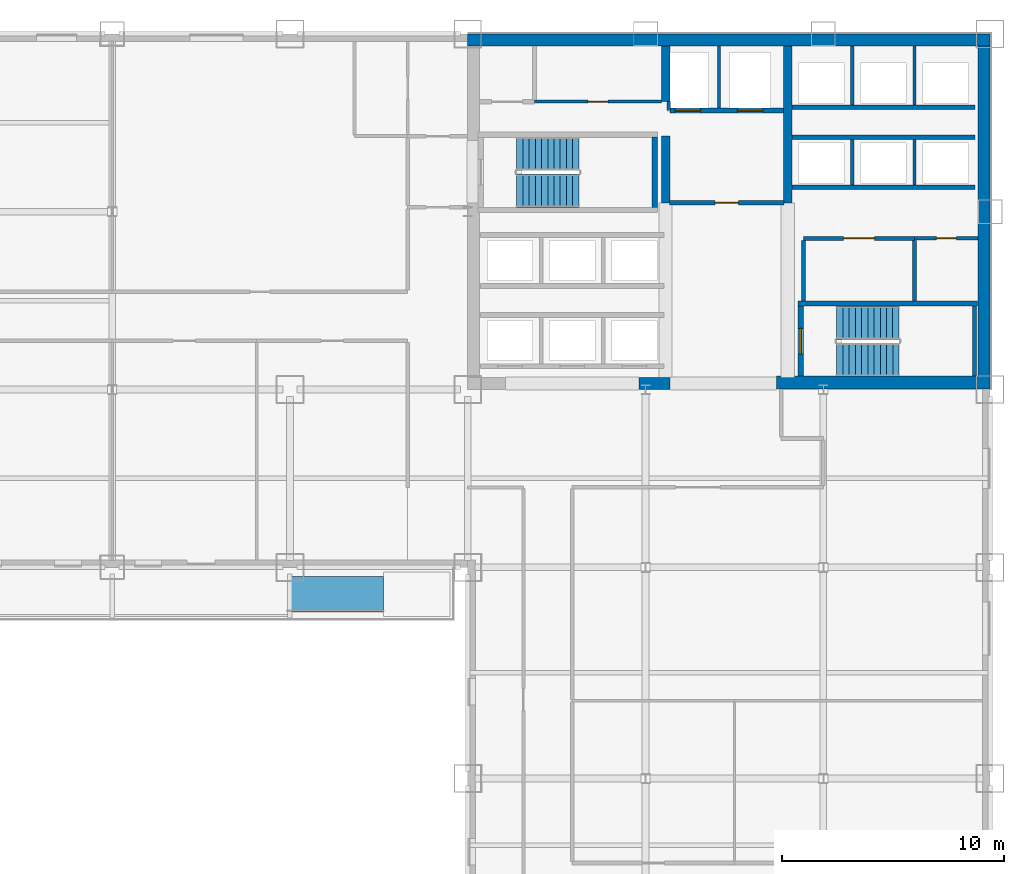
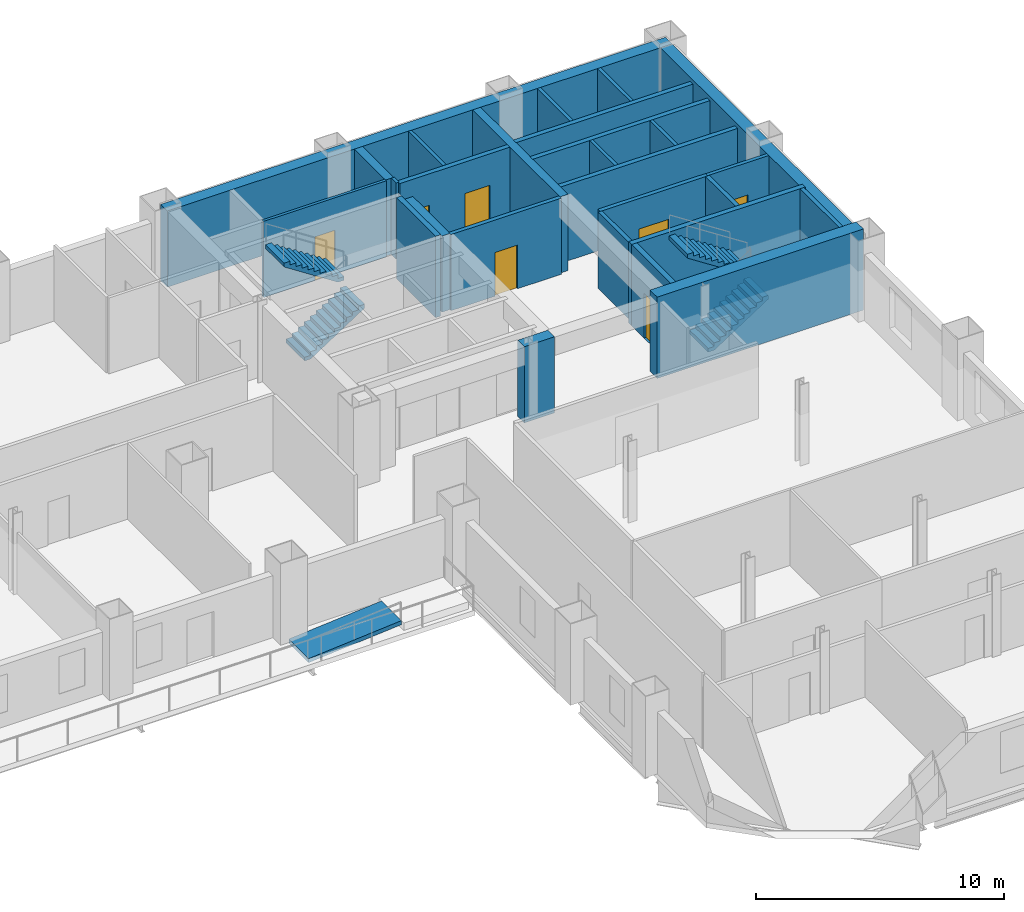
# One storey, part 7 of 9: 27 walls, 7 doors, 4 stair flights, 1 ramp flight, 7 openings, 3 elements without a shape of their own.
"""IFC4 building model written with IfcOpenShell, lengths in metres."""

import ifcopenshell
import ifcopenshell.guid

model = None  # the IFC model being written
_history = None  # IfcOwnerHistory: only IFC2X3 demands one
_inside = {}  # id of a spatial element -> (the spatial element, [elements in it])
_under = {}  # id of a project, library or spatial element -> (it, [spatial elements below it])
_declared = {}  # id of a project -> (the project, [libraries it declares])
_typed = {}  # id of a type object -> (the type object, [elements of that type])
_made_of = {}  # id of a material, layer set ... -> (it, [elements and type objects made of it])


def new_model(schema):
    """Start an empty IFC model of exactly this schema.

    Asked for "IFC4X3", IfcOpenShell would pick the latest addendum, in which some entities
    have other attributes; the version numbers below select the first issue.
    IFC2X3 requires an IfcOwnerHistory on every rooted entity: one is made here for all.
    """
    global model, _history
    if schema == "IFC4X3":
        model = ifcopenshell.file(schema_version=(4, 3, 0, 0))
    else:
        model = ifcopenshell.file(schema=schema)
    _inside.clear()
    _under.clear()
    _declared.clear()
    _typed.clear()
    _made_of.clear()
    _history = None
    if model.schema == "IFC2X3":
        org = make("IfcOrganization", Name="unknown")
        user = make(
            "IfcPersonAndOrganization",
            ThePerson=make("IfcPerson", FamilyName="unknown"),
            TheOrganization=org,
        )
        app = make(
            "IfcApplication",
            ApplicationDeveloper=org,
            Version="unknown",
            ApplicationFullName="unknown",
            ApplicationIdentifier="unknown",
        )
        _history = make(
            "IfcOwnerHistory",
            OwningUser=user,
            OwningApplication=app,
            ChangeAction="ADDED",
            CreationDate=0,
        )
    return model


def make(cls, **values):
    """One entity of the class cls with the attributes given. An attribute that is None is left unset."""
    return model.create_entity(
        cls, **{name: value for name, value in values.items() if value is not None}
    )


def rooted(cls, **values):
    """An entity with a GlobalId (a new one), such as an element, a storey or a relation."""
    return make(cls, GlobalId=ifcopenshell.guid.new(), OwnerHistory=_history, **values)


def si_unit(unit_type, name, prefix=None):
    """IfcSIUnit, for example si_unit("LENGTHUNIT", "METRE", prefix="MILLI")."""
    return make("IfcSIUnit", UnitType=unit_type, Prefix=prefix, Name=name)


def assignment(units):
    """IfcUnitAssignment: the units of a project."""
    return None if units is None else make("IfcUnitAssignment", Units=units)


def point(xyz):
    """IfcCartesianPoint."""
    return None if xyz is None else make("IfcCartesianPoint", Coordinates=xyz)


def direction(xyz):
    """IfcDirection."""
    return None if xyz is None else make("IfcDirection", DirectionRatios=xyz)


def frame(location, z_axis=None, x_axis=None):
    """IfcAxis2Placement3D, a coordinate frame: its origin and axes. An axis left out is left unset."""
    return make(
        "IfcAxis2Placement3D",
        Location=point(location),
        Axis=direction(z_axis),
        RefDirection=direction(x_axis),
    )


def frame_2d(location, x_axis=None):
    """IfcAxis2Placement2D, a coordinate frame in the plane: its origin and x axis."""
    return make(
        "IfcAxis2Placement2D", Location=point(location), RefDirection=direction(x_axis)
    )


def origin():
    """The frame at (0, 0, 0) with its axes left unset."""
    return frame((0.0, 0.0, 0.0))


def place(relative_to, where):
    """IfcLocalPlacement: puts the frame where relative to a parent placement (None: the world)."""
    return make(
        "IfcLocalPlacement", PlacementRelTo=relative_to, RelativePlacement=where
    )


def context(
    kind, dimensions, precision=None, world=None, true_north=None, identifier=None
):
    """IfcGeometricRepresentationContext, for example the 3D "Model" context."""
    return make(
        "IfcGeometricRepresentationContext",
        ContextIdentifier=identifier,
        ContextType=kind,
        CoordinateSpaceDimension=dimensions,
        Precision=precision,
        WorldCoordinateSystem=world,
        TrueNorth=true_north,
    )


def subcontext(parent, identifier, kind, view, scale=None):
    """IfcGeometricRepresentationSubContext, for example "Body" below "Model"."""
    return make(
        "IfcGeometricRepresentationSubContext",
        ContextIdentifier=identifier,
        ContextType=kind,
        ParentContext=parent,
        TargetScale=scale,
        TargetView=view,
    )


def project(units=None, contexts=None):
    """IfcProject with its units and contexts."""
    return rooted(
        "IfcProject",
        Name="project",
        RepresentationContexts=contexts,
        UnitsInContext=assignment(units),
    )


def spatial(cls, under=None, at=None, **own):
    """A site, building, storey or space (cls), placed at a placement, below another one or the project."""
    s = rooted(cls, ObjectPlacement=at, **own)
    if under is not None:
        _under.setdefault(under.id(), (under, []))[1].append(s)
    return s


def polyline(points):
    """IfcPolyline through the points."""
    return make("IfcPolyline", Points=[point(p) for p in points])


def profile(cls, at=None, kind="AREA", **sizes):
    """A parametric profile (cls). Its sizes go by their IFC names, for example OverallWidth=200.0."""
    return make(cls, ProfileType=kind, Position=at, **sizes)


def rectangle(**sizes):
    """IfcRectangleProfileDef."""
    return profile("IfcRectangleProfileDef", **sizes)


def outline(outer, holes=None, kind="AREA"):
    """IfcArbitraryClosedProfileDef: a profile drawn as a closed curve; with holes, ...WithVoids."""
    if holes is None:
        return make("IfcArbitraryClosedProfileDef", ProfileType=kind, OuterCurve=outer)
    return make(
        "IfcArbitraryProfileDefWithVoids",
        ProfileType=kind,
        OuterCurve=outer,
        InnerCurves=holes,
    )


def extrude(swept, where, along, depth):
    """IfcExtrudedAreaSolid: the profile swept, set in the frame where, extruded along a direction by depth."""
    return make(
        "IfcExtrudedAreaSolid",
        SweptArea=swept,
        Position=where,
        ExtrudedDirection=direction(along),
        Depth=depth,
    )


def shape(context_of_items, identifier, shape_type, items):
    """IfcShapeRepresentation: the items that make up one representation, for example the "Body"."""
    return make(
        "IfcShapeRepresentation",
        ContextOfItems=context_of_items,
        RepresentationIdentifier=identifier,
        RepresentationType=shape_type,
        Items=items,
    )


def material(Name=None, Category=None):
    """IfcMaterial."""
    return make("IfcMaterial", Name=Name, Category=Category)


def layer(
    of_material, thickness, ventilated=None, Name=None, Category=None, Priority=None
):
    """IfcMaterialLayer: one layer of a wall or slab, of a material (None: an air gap)."""
    return make(
        "IfcMaterialLayer",
        Material=of_material,
        LayerThickness=thickness,
        IsVentilated=ventilated,
        Name=Name,
        Category=Category,
        Priority=Priority,
    )


def layer_set(layers, Name=None):
    """IfcMaterialLayerSet."""
    return make("IfcMaterialLayerSet", MaterialLayers=layers, LayerSetName=Name)


def made_of(thing, what):
    """Note that an element or type object is made of a material, layer set ...; save() writes the relation."""
    if what is not None:
        _made_of.setdefault(what.id(), (what, []))[1].append(thing)
    return thing


def type_object(cls, material=None, **own):
    """A type object (cls), such as IfcWallType, which elements share."""
    return made_of(rooted(cls, **own), material)


def element(
    cls,
    number,
    at=None,
    inside=None,
    cuts=None,
    type_object=None,
    material=None,
    context=None,
    identifier="Body",
    shape_type=None,
    held_by="IfcProductDefinitionShape",
    body=None,
    shapes=None,
    **own,
):
    """One element of the class cls, such as IfcWall. Its Tag is "e" and its number.

    at: its placement. inside: the storey or other place that contains it. cuts: it is an
    opening in that element (IfcRelVoidsElement). A single representation is given by context,
    identifier, shape_type and body (its items); several are given by shapes. held_by: the class
    of the entity that holds the representations. save() writes the other relations.
    """
    e = rooted(cls, Tag="e%d" % number, ObjectPlacement=at, **own)
    if body is not None:
        shapes = [shape(context, identifier, shape_type, body)]
    if shapes is not None:
        e.Representation = make(held_by, Representations=shapes)
    if inside is not None:
        _inside.setdefault(inside.id(), (inside, []))[1].append(e)
    if cuts is not None:
        rooted(
            "IfcRelVoidsElement", RelatingBuildingElement=cuts, RelatedOpeningElement=e
        )
    if type_object is not None:
        _typed.setdefault(type_object.id(), (type_object, []))[1].append(e)
    return made_of(e, material)


def fill(opening, filler):
    """IfcRelFillsElement: the door or window that sits in an opening."""
    return rooted(
        "IfcRelFillsElement",
        RelatingOpeningElement=opening,
        RelatedBuildingElement=filler,
    )


def aggregate(whole, parts):
    """IfcRelAggregates: a whole, such as a stair, and the parts it consists of."""
    return rooted("IfcRelAggregates", RelatingObject=whole, RelatedObjects=parts)


def save(model, path):
    """Write the relations noted so far, then the file.

    IfcRelAggregates (storeys below a building ...), IfcRelContainedInSpatialStructure (elements
    in a storey), IfcRelDefinesByType, IfcRelAssociatesMaterial and IfcRelDeclares: one each for
    every whole, place, type object, material and project.
    """
    for whole, parts in _under.values():
        aggregate(whole, parts)
    for where, things in _inside.values():
        rooted(
            "IfcRelContainedInSpatialStructure",
            RelatedElements=things,
            RelatingStructure=where,
        )
    for kind, things in _typed.values():
        rooted("IfcRelDefinesByType", RelatedObjects=things, RelatingType=kind)
    for what, things in _made_of.values():
        rooted("IfcRelAssociatesMaterial", RelatedObjects=things, RelatingMaterial=what)
    for by, libraries in _declared.values():
        rooted("IfcRelDeclares", RelatingContext=by, RelatedDefinitions=libraries)
    model.write(path)


model = new_model("IFC4")

# Units and contexts
model_context = context("Model", 3, precision=1e-05, world=origin(), true_north=direction((0.0, 1.0)))
body_context = subcontext(model_context, "Body", "Model", "MODEL_VIEW")
ifc_project = project(units=[si_unit("LENGTHUNIT", "METRE"), si_unit("AREAUNIT", "SQUARE_METRE"), si_unit("VOLUMEUNIT", "CUBIC_METRE"), si_unit("PLANEANGLEUNIT", "RADIAN"), si_unit("MASSUNIT", "GRAM", prefix="KILO")], contexts=[model_context])

# Site, building, storey
site_placement = place(None, origin())
site = spatial("IfcSite", under=ifc_project, at=site_placement, CompositionType="ELEMENT")
building_placement = place(site_placement, origin())
building = spatial("IfcBuilding", under=site, at=building_placement, Name="Qianrong Seaharbour Tower", CompositionType="ELEMENT")
storey_placement = place(building_placement, frame((0.0, 0.0, 64.199951171875)))
storey = spatial("IfcBuildingStorey", under=building, at=storey_placement, Name="L15", CompositionType="ELEMENT", Elevation=64.199951171875)

# Walls
ifc_material_1 = material(Name="Concrete C70/85", Category="concrete")
ifc_layer_1 = layer(ifc_material_1, 0.5400390625)
ifc_layer_set_1 = layer_set([ifc_layer_1], Name="Concrete C70/85")
wall_type_1 = type_object("IfcWallType", Name="WALL-CORE-540", PredefinedType="SHEAR", material=ifc_layer_set_1)
wall_1_placement = place(storey_placement, frame((40.5, 51.72998046875, 0.0), z_axis=(0.0, 0.0, 1.0), x_axis=(1.0, 0.0, 0.0)))
element("IfcWall", 1, at=wall_1_placement, inside=storey, type_object=wall_type_1, Name="L15 North Core Shear Wall", PredefinedType="SHEAR", context=body_context, shape_type="SweptSolid", body=[
    extrude(rectangle(XDim=23.5, YDim=0.5400390625, at=frame_2d((11.75, 0.0))), origin(), (0.0, 0.0, 1.0), 3.75),
])
wall_2_placement = place(storey_placement, frame((63.72998046875, 36.320068359375, 0.0), z_axis=(0.0, 0.0, 1.0), x_axis=(0.0, 1.0, 0.0)))
element("IfcWall", 2, at=wall_2_placement, inside=storey, type_object=wall_type_1, Name="L15 East Core Shear Wall", PredefinedType="SHEAR", context=body_context, shape_type="SweptSolid", body=[
    extrude(rectangle(XDim=15.139892578125, YDim=0.5400390625, at=frame_2d((7.56982421875, 0.0))), origin(), (0.0, 0.0, 1.0), 3.75),
])
wall_3_placement = place(storey_placement, frame((48.199951171875, 36.27001953125, 0.0), z_axis=(0.0, 0.0, 1.0), x_axis=(1.0, 0.0, 0.0)))
element("IfcWall", 3, at=wall_3_placement, inside=storey, type_object=wall_type_1, Name="L15 South Core Shear Wall S2", PredefinedType="SHEAR", context=body_context, shape_type="SweptSolid", body=[
    extrude(rectangle(XDim=1.400146484375, YDim=0.5400390625, at=frame_2d((0.7001953125, 0.0))), origin(), (0.0, 0.0, 1.0), 3.75),
])
ifc_layer_2 = layer(ifc_material_1, 0.580078125)
ifc_layer_set_2 = layer_set([ifc_layer_2], Name="Concrete C70/85")
wall_type_2 = type_object("IfcWallType", Name="WALL-CORE-580", PredefinedType="SHEAR", material=ifc_layer_set_2)
wall_4_placement = place(storey_placement, frame((54.39990234375, 36.320068359375, 0.0), z_axis=(0.0, 0.0, 1.0), x_axis=(1.0, 0.0, 0.0)))
element("IfcWall", 4, at=wall_4_placement, inside=storey, type_object=wall_type_2, Name="L15 South Core Shear Wall S3", PredefinedType="SHEAR", context=body_context, shape_type="SweptSolid", body=[
    extrude(rectangle(XDim=9.60009765625, YDim=0.580078125, at=frame_2d((4.800048828125, 0.0))), origin(), (0.0, 0.0, 1.0), 4.0),
])
ifc_material_2 = material(Name="Concrete C60/75", Category="concrete")
ifc_layer_3 = layer(ifc_material_2, 0.3798828125)
ifc_layer_set_3 = layer_set([ifc_layer_3], Name="Concrete C60/75")
wall_type_3 = type_object("IfcWallType", Name="WALL-CORE-INT-380", PredefinedType="SHEAR", material=ifc_layer_set_3)
wall_5_placement = place(storey_placement, frame((49.39990234375, 44.39990234375, 0.0), z_axis=(0.0, 0.0, 1.0), x_axis=(0.0, 1.0, 0.0)))
element("IfcWall", 5, at=wall_5_placement, inside=storey, type_object=wall_type_3, Name="L15 Internal Core Shear Wall IW1N1", PredefinedType="SHEAR", context=body_context, shape_type="SweptSolid", body=[
    extrude(rectangle(XDim=3.0, YDim=0.3798828125, at=frame_2d((1.5, 0.0))), origin(), (0.0, 0.0, 1.0), 3.75),
])
wall_6_placement = place(storey_placement, frame((49.39990234375, 48.949951171875, 0.0), z_axis=(0.0, 0.0, 1.0), x_axis=(0.0, 1.0, 0.0)))
element("IfcWall", 6, at=wall_6_placement, inside=storey, type_object=wall_type_3, Name="L15 Internal Core Shear Wall IW1N2", PredefinedType="SHEAR", context=body_context, shape_type="SweptSolid", body=[
    extrude(rectangle(XDim=2.510009765625, YDim=0.3798828125, at=frame_2d((1.2548828125, 0.0))), origin(), (0.0, 0.0, 1.0), 3.75),
])
wall_7_placement = place(storey_placement, frame((54.89990234375, 44.39990234375, 0.0), z_axis=(0.0, 0.0, 1.0), x_axis=(0.0, 1.0, 0.0)))
element("IfcWall", 7, at=wall_7_placement, inside=storey, type_object=wall_type_3, Name="L15 Internal Core Shear Wall IW2N", PredefinedType="SHEAR", context=body_context, shape_type="SweptSolid", body=[
    extrude(rectangle(XDim=7.06005859375, YDim=0.3798828125, at=frame_2d((3.530029296875, 0.0))), origin(), (0.0, 0.0, 1.0), 3.75),
])

# Wall, opening, door
ifc_material_3 = material(Name="Fire-rated acoustic gypsum board partition")
ifc_layer_4 = layer(ifc_material_3, 0.1650390625)
ifc_layer_set_4 = layer_set([ifc_layer_4], Name="Fire-rated acoustic gypsum board partition")
wall_type_4 = type_object("IfcWallType", Name="WALL-CORR-PART-165", PredefinedType="PARTITIONING", material=ifc_layer_set_4)
wall_8_placement = place(storey_placement, frame((63.4599609375, 42.800048828125, 0.0), z_axis=(0.0, 0.0, 1.0), x_axis=(-1.0, 0.0, 0.0)))
wall_8 = element("IfcWall", 8, at=wall_8_placement, inside=storey, type_object=wall_type_4, Name="L15 Interior Partition Wall 012", PredefinedType="PARTITIONING", context=body_context, shape_type="SweptSolid", body=[
    extrude(rectangle(XDim=2.85986328125, YDim=0.1650390625, at=frame_2d((1.429931640625, 0.0))), origin(), (0.0, 0.0, 1.0), 3.75),
])
opening_1_placement = place(wall_8_placement, frame((0.97998046875, 0.0, 0.0)))
opening_1 = element("IfcOpeningElement", 9, at=opening_1_placement, cuts=wall_8, Name="Opening DS-01", PredefinedType="OPENING", context=body_context, shape_type="SweptSolid", body=[
    extrude(rectangle(XDim=0.89990234375, YDim=2.14990234375, at=frame_2d((0.449951171875, 1.074951171875))), frame((0.0, 0.092529296875, 0.0), z_axis=(0.0, -1.0, 0.0), x_axis=(1.0, 0.0, 0.0)), (0.0, 0.0, 1.0), 0.18505859375),
])
ifc_material_4 = material(Name="Acoustic timber and galvanized steel fire door assembly", Category="steel")
door_type_1 = type_object("IfcDoorType", Name="DOOR-STORE-900x2150", OperationType="NOTDEFINED", PredefinedType="DOOR", material=ifc_material_4)
door_1_placement = place(opening_1_placement, origin())
door_1 = element("IfcDoor", 10, at=door_1_placement, inside=storey, type_object=door_type_1, Name="L15 Housekeeping Linen Store Door", OperationType="SINGLE_SWING_RIGHT", OverallHeight=2.14990234375, OverallWidth=0.89990234375, PredefinedType="DOOR", context=body_context, shape_type="SweptSolid", body=[
    extrude(rectangle(XDim=0.89990234375, YDim=2.14990234375, at=frame_2d((0.449951171875, 1.074951171875))), frame((0.0, 0.02490234375, 0.0), z_axis=(0.0, -1.0, 0.0), x_axis=(1.0, 0.0, 0.0)), (0.0, 0.0, 1.0), 0.050048828125),
])
fill(opening_1, door_1)

ifc_material_5 = material(Name="Double fire-rated gypsum board acoustic partition")
ifc_layer_5 = layer(ifc_material_5, 0.18994140625)
ifc_layer_set_5 = layer_set([ifc_layer_5], Name="Double fire-rated gypsum board acoustic partition")
wall_type_5 = type_object("IfcWallType", Name="WALL-FIRE-PART-190", PredefinedType="PARTITIONING", material=ifc_layer_set_5)
wall_9_placement = place(storey_placement, frame((54.718017578125, 44.39990234375, 0.0), z_axis=(0.0, 0.0, 1.0), x_axis=(-1.0, 0.0, 0.0)))
wall_9 = element("IfcWall", 11, at=wall_9_placement, inside=storey, type_object=wall_type_5, Name="L15 Interior Partition Wall 009", PredefinedType="PARTITIONING", context=body_context, shape_type="SweptSolid", body=[
    extrude(rectangle(XDim=5.135986328125, YDim=0.18994140625, at=frame_2d((2.56787109375, 0.0))), origin(), (0.0, 0.0, 1.0), 3.75),
])
opening_2_placement = place(wall_9_placement, frame((2.04296875, 0.0, 0.0)))
opening_2 = element("IfcOpeningElement", 12, at=opening_2_placement, cuts=wall_9, Name="Opening DC-01", PredefinedType="OPENING", context=body_context, shape_type="SweptSolid", body=[
    extrude(rectangle(XDim=1.050048828125, YDim=2.14990234375, at=frame_2d((0.52490234375, 1.074951171875))), frame((0.0, 0.10498046875, 0.0), z_axis=(0.0, -1.0, 0.0), x_axis=(1.0, 0.0, 0.0)), (0.0, 0.0, 1.0), 0.2099609375),
])
door_type_2 = type_object("IfcDoorType", Name="DOOR-CORR-FD60-1050x2150", OperationType="NOTDEFINED", PredefinedType="DOOR", material=ifc_material_4)
door_2_placement = place(opening_2_placement, origin())
door_2 = element("IfcDoor", 13, at=door_2_placement, inside=storey, type_object=door_type_2, Name="L15 Firefighting Lift Lobby Door", OperationType="SINGLE_SWING_RIGHT", OverallHeight=2.14990234375, OverallWidth=1.050048828125, PredefinedType="DOOR", context=body_context, shape_type="SweptSolid", body=[
    extrude(rectangle(XDim=1.050048828125, YDim=2.14990234375, at=frame_2d((0.52490234375, 1.074951171875))), frame((0.0, 0.02490234375, 0.0), z_axis=(0.0, -1.0, 0.0), x_axis=(1.0, 0.0, 0.0)), (0.0, 0.0, 1.0), 0.050048828125),
])
fill(opening_2, door_2)

# Wall
wall_10_placement = place(storey_placement, frame((55.60009765625, 42.712890625, 0.0), z_axis=(0.0, 0.0, 1.0), x_axis=(0.0, -1.0, 0.0)))
element("IfcWall", 14, at=wall_10_placement, inside=storey, type_object=wall_type_5, Name="L15 Interior Partition Wall 010", PredefinedType="PARTITIONING", context=body_context, shape_type="SweptSolid", body=[
    extrude(rectangle(XDim=2.73095703125, YDim=0.18994140625, at=frame_2d((1.365478515625, 0.0))), origin(), (0.0, 0.0, 1.0), 3.75),
])

# Wall, opening, door
wall_11_placement = place(storey_placement, frame((60.60009765625, 42.800048828125, 0.0), z_axis=(0.0, 0.0, 1.0), x_axis=(-1.0, 0.0, 0.0)))
wall_11 = element("IfcWall", 15, at=wall_11_placement, inside=storey, type_object=wall_type_5, Name="L15 Interior Partition Wall 011", PredefinedType="PARTITIONING", context=body_context, shape_type="SweptSolid", body=[
    extrude(rectangle(XDim=5.0, YDim=0.18994140625, at=frame_2d((2.5, 0.0))), origin(), (0.0, 0.0, 1.0), 3.75),
])
opening_3_placement = place(wall_11_placement, frame((1.800048828125, 0.0, 0.0)))
opening_3 = element("IfcOpeningElement", 16, at=opening_3_placement, cuts=wall_11, Name="Opening DP-01", PredefinedType="OPENING", context=body_context, shape_type="SweptSolid", body=[
    extrude(rectangle(XDim=1.39990234375, YDim=2.25, at=frame_2d((0.699951171875, 1.125))), frame((0.0, 0.10498046875, 0.0), z_axis=(0.0, -1.0, 0.0), x_axis=(1.0, 0.0, 0.0)), (0.0, 0.0, 1.0), 0.2099609375),
])
door_type_3 = type_object("IfcDoorType", Name="DOOR-PLANT-PAIR-1400x2250", OperationType="DOUBLE_DOOR_SINGLE_SWING", PredefinedType="DOOR", material=ifc_material_4)
door_3_placement = place(opening_3_placement, origin())
door_3 = element("IfcDoor", 17, at=door_3_placement, inside=storey, type_object=door_type_3, Name="L15 Submetering Switch Room Door", OperationType="DOUBLE_DOOR_SINGLE_SWING", OverallHeight=2.25, OverallWidth=1.39990234375, PredefinedType="DOOR", context=body_context, shape_type="SweptSolid", body=[
    extrude(rectangle(XDim=1.39990234375, YDim=2.25, at=frame_2d((0.699951171875, 1.125))), frame((0.0, 0.02490234375, 0.0), z_axis=(0.0, -1.0, 0.0), x_axis=(1.0, 0.0, 0.0)), (0.0, 0.0, 1.0), 0.050048828125),
])
fill(opening_3, door_3)

# Walls
wall_12_placement = place(storey_placement, frame((60.60009765625, 42.712890625, 0.0), z_axis=(0.0, 0.0, 1.0), x_axis=(0.0, -1.0, 0.0)))
element("IfcWall", 18, at=wall_12_placement, inside=storey, type_object=wall_type_5, Name="L15 Interior Partition Wall 014", PredefinedType="PARTITIONING", context=body_context, shape_type="SweptSolid", body=[
    extrude(rectangle(XDim=2.73095703125, YDim=0.18994140625, at=frame_2d((1.365478515625, 0.0))), origin(), (0.0, 0.0, 1.0), 3.75),
])
ifc_material_6 = material(Name="Fire-rated gypsum board on steel studs", Category="steel")
ifc_layer_6 = layer(ifc_material_6, 0.14990234375)
ifc_layer_set_6 = layer_set([ifc_layer_6], Name="Fire-rated gypsum board on steel studs")
wall_type_6 = type_object("IfcWallType", Name="WALL-SHAFT-DIV-150", PredefinedType="PARTITIONING", material=ifc_layer_set_6)
wall_13_placement = place(storey_placement, frame((51.800048828125, 48.669921875, 0.0), z_axis=(0.0, 0.0, 1.0), x_axis=(0.0, 1.0, 0.0)))
element("IfcWall", 19, at=wall_13_placement, inside=storey, type_object=wall_type_6, Name="L15 Firefighting Lift Shaft Divider Wall", PredefinedType="PARTITIONING", context=body_context, shape_type="SweptSolid", body=[
    extrude(rectangle(XDim=2.7900390625, YDim=0.14990234375, at=frame_2d((1.39501953125, 0.0))), origin(), (0.0, 0.0, 1.0), 3.75),
])
wall_14_placement = place(storey_placement, frame((49.550048828125, 48.550048828125, 0.0), z_axis=(0.0, 0.0, 1.0), x_axis=(0.0, 1.0, 0.0)))
element("IfcWall", 20, at=wall_14_placement, inside=storey, type_object=wall_type_6, Name="L15 Firefighting Lift Shaft West Return Wall", PredefinedType="PARTITIONING", context=body_context, shape_type="SweptSolid", body=[
    extrude(rectangle(XDim=0.39990234375, YDim=0.14990234375, at=frame_2d((0.199951171875, 0.0))), origin(), (0.0, 0.0, 1.0), 3.75),
])
for number, where, z_axis, x_axis, name in (
    (21, (57.800048828125, 45.2099609375, 0.0), (0.0, 0.0, 1.0), (0.0, 1.0, 0.0), "L15 P3 Lift Hoistway Divider 2"),
    (22, (60.60009765625, 45.2099609375, 0.0), (0.0, 0.0, 1.0), (0.0, 1.0, 0.0), "L15 P3 Lift Hoistway Divider 3"),
):
    element("IfcWall", number, at=place(storey_placement, frame(where, z_axis=z_axis, x_axis=x_axis)), inside=storey, type_object=wall_type_6, Name=name, PredefinedType="PARTITIONING", context=body_context, shape_type="SweptSolid", body=[
        extrude(rectangle(XDim=2.030029296875, YDim=0.14990234375, at=frame_2d((1.01513671875, 0.0))), origin(), (0.0, 0.0, 1.0), 3.75),
    ])
for number, where, z_axis, x_axis, name in (
    (23, (57.800048828125, 48.81005859375, 0.0), (0.0, 0.0, 1.0), (0.0, 1.0, 0.0), "L15 P4 Lift Hoistway Divider 2"),
    (24, (60.60009765625, 48.81005859375, 0.0), (0.0, 0.0, 1.0), (0.0, 1.0, 0.0), "L15 P4 Lift Hoistway Divider 3"),
):
    element("IfcWall", number, at=place(storey_placement, frame(where, z_axis=z_axis, x_axis=x_axis)), inside=storey, type_object=wall_type_6, Name=name, PredefinedType="PARTITIONING", context=body_context, shape_type="SweptSolid", body=[
        extrude(rectangle(XDim=2.64990234375, YDim=0.14990234375, at=frame_2d((1.324951171875, 0.0))), origin(), (0.0, 0.0, 1.0), 3.75),
    ])

# Wall, openings, doors
ifc_layer_7 = layer(ifc_material_6, 0.219970703125)
ifc_layer_set_7 = layer_set([ifc_layer_7], Name="Fire-rated gypsum board on steel studs")
wall_type_7 = type_object("IfcWallType", Name="WALL-SHAFT-GYP220", PredefinedType="PARTITIONING", material=ifc_layer_set_7)
wall_15_placement = place(storey_placement, frame((54.7099609375, 48.550048828125, 0.0), z_axis=(0.0, 0.0, 1.0), x_axis=(-1.0, 0.0, 0.0)))
wall_15 = element("IfcWall", 25, at=wall_15_placement, inside=storey, type_object=wall_type_7, Name="L15 Firefighting Lift Shaft Front Wall", PredefinedType="PARTITIONING", context=body_context, shape_type="SweptSolid", body=[
    extrude(rectangle(XDim=5.119873046875, YDim=0.219970703125, at=frame_2d((2.56005859375, 0.0))), origin(), (0.0, 0.0, 1.0), 3.75),
])
opening_4_placement = place(wall_15_placement, frame((3.735107421875, 0.0, 0.0)))
opening_4 = element("IfcOpeningElement", 26, at=opening_4_placement, cuts=wall_15, Name="Opening LD-01", PredefinedType="OPENING", context=body_context, shape_type="SweptSolid", body=[
    extrude(rectangle(XDim=1.14990234375, YDim=2.199951171875, at=frame_2d((0.574951171875, 1.10009765625))), frame((0.0, 0.1201171875, 0.0), z_axis=(0.0, -1.0, 0.0), x_axis=(1.0, 0.0, 0.0)), (0.0, 0.0, 1.0), 0.239990234375),
])
opening_5_placement = place(wall_15_placement, frame((0.93505859375, 0.0, 0.0)))
opening_5 = element("IfcOpeningElement", 27, at=opening_5_placement, cuts=wall_15, Name="Opening LD-01", PredefinedType="OPENING", context=body_context, shape_type="SweptSolid", body=[
    extrude(rectangle(XDim=1.14990234375, YDim=2.199951171875, at=frame_2d((0.574951171875, 1.10009765625))), frame((0.0, 0.1201171875, 0.0), z_axis=(0.0, -1.0, 0.0), x_axis=(1.0, 0.0, 0.0)), (0.0, 0.0, 1.0), 0.239990234375),
])
ifc_material_7 = material(Name="Stainless steel SUS316L bi-parting lift landing door", Category="steel")
door_type_4 = type_object("IfcDoorType", Name="DOOR-LIFT-FF-1150x2200", OperationType="DOUBLE_DOOR_SLIDING", PredefinedType="DOOR", material=ifc_material_7)
door_4_placement = place(opening_4_placement, origin())
door_4 = element("IfcDoor", 28, at=door_4_placement, inside=storey, type_object=door_type_4, Name="L15 FL-1 Firefighting Lift Landing Door", OperationType="DOUBLE_DOOR_SLIDING", OverallHeight=2.199951171875, OverallWidth=1.14990234375, PredefinedType="DOOR", context=body_context, shape_type="SweptSolid", body=[
    extrude(rectangle(XDim=1.14990234375, YDim=2.199951171875, at=frame_2d((0.574951171875, 1.10009765625))), frame((0.0, 0.02490234375, 0.0), z_axis=(0.0, -1.0, 0.0), x_axis=(1.0, 0.0, 0.0)), (0.0, 0.0, 1.0), 0.050048828125),
])
fill(opening_4, door_4)
door_5_placement = place(opening_5_placement, origin())
door_5 = element("IfcDoor", 29, at=door_5_placement, inside=storey, type_object=door_type_4, Name="L15 FL-2 Firefighting Lift Landing Door", OperationType="DOUBLE_DOOR_SLIDING", OverallHeight=2.199951171875, OverallWidth=1.14990234375, PredefinedType="DOOR", context=body_context, shape_type="SweptSolid", body=[
    extrude(rectangle(XDim=1.14990234375, YDim=2.199951171875, at=frame_2d((0.574951171875, 1.10009765625))), frame((0.0, 0.02490234375, 0.0), z_axis=(0.0, -1.0, 0.0), x_axis=(1.0, 0.0, 0.0)), (0.0, 0.0, 1.0), 0.050048828125),
])
fill(opening_5, door_5)

# Walls
for number, where, z_axis, x_axis, name in (
    (30, (63.320068359375, 45.10009765625, 0.0), (0.0, 0.0, 1.0), (-1.0, 0.0, 0.0), "L15 P3 Lift Hoistway Front Wall"),
    (31, (55.080078125, 47.35009765625, 0.0), (0.0, 0.0, 1.0), (1.0, 0.0, 0.0), "L15 P3 Lift Hoistway Back Wall"),
    (32, (63.320068359375, 48.699951171875, 0.0), (0.0, 0.0, 1.0), (-1.0, 0.0, 0.0), "L15 P4 Lift Hoistway Front Wall"),
):
    element("IfcWall", number, at=place(storey_placement, frame(where, z_axis=z_axis, x_axis=x_axis)), inside=storey, type_object=wall_type_7, Name=name, PredefinedType="PARTITIONING", context=body_context, shape_type="SweptSolid", body=[
        extrude(rectangle(XDim=8.239990234375, YDim=0.219970703125, at=frame_2d((4.1201171875, 0.0))), origin(), (0.0, 0.0, 1.0), 3.75),
    ])
ifc_material_8 = material(Name="Concrete C50/60", Category="concrete")
ifc_layer_8 = layer(ifc_material_8, 0.239990234375)
ifc_layer_set_8 = layer_set([ifc_layer_8], Name="Concrete C50/60")
wall_type_8 = type_object("IfcWallType", Name="WALL-SHAFT-RC240", PredefinedType="SOLIDWALL", material=ifc_layer_set_8)
wall_16_placement = place(storey_placement, frame((48.919921875, 44.199951171875, 0.0), z_axis=(0.0, 0.0, 1.0), x_axis=(0.0, 1.0, 0.0)))
element("IfcWall", 33, at=wall_16_placement, inside=storey, type_object=wall_type_8, Name="L15 ST-1 Structural Stair Core Wall E", PredefinedType="SOLIDWALL", context=body_context, shape_type="SweptSolid", body=[
    extrude(rectangle(XDim=3.150146484375, YDim=0.239990234375, at=frame_2d((1.5751953125, 0.0))), origin(), (0.0, 0.0, 1.0), 4.0),
])
wall_17_placement = place(storey_placement, frame((55.360107421875, 39.8701171875, 0.0), z_axis=(0.0, 0.0, 1.0), x_axis=(1.0, 0.0, 0.0)))
element("IfcWall", 34, at=wall_17_placement, inside=storey, type_object=wall_type_8, Name="L15 ST-2 Structural Stair Core Wall N", PredefinedType="SOLIDWALL", context=body_context, shape_type="SweptSolid", body=[
    extrude(rectangle(XDim=8.079833984375, YDim=0.239990234375, at=frame_2d((4.0400390625, 0.0))), origin(), (0.0, 0.0, 1.0), 4.0),
])

# Wall, opening, door
wall_18_placement = place(storey_placement, frame((55.47998046875, 39.75, 0.0), z_axis=(0.0, 0.0, 1.0), x_axis=(0.0, -1.0, 0.0)))
wall_18 = element("IfcWall", 35, at=wall_18_placement, inside=storey, type_object=wall_type_8, Name="L15 ST-2 Structural Stair Core Wall W", PredefinedType="SOLIDWALL", context=body_context, shape_type="SweptSolid", body=[
    extrude(rectangle(XDim=3.14990234375, YDim=0.239990234375, at=frame_2d((1.574951171875, 0.0))), origin(), (0.0, 0.0, 1.0), 4.0),
])
opening_6_placement = place(wall_18_placement, frame((1.0, 0.0, 0.0)))
opening_6 = element("IfcOpeningElement", 36, at=opening_6_placement, cuts=wall_18, Name="Opening SD-01", PredefinedType="OPENING", context=body_context, shape_type="SweptSolid", body=[
    extrude(rectangle(XDim=1.14990234375, YDim=2.199951171875, at=frame_2d((0.574951171875, 1.10009765625))), frame((0.0, 0.1298828125, 0.0), z_axis=(0.0, -1.0, 0.0), x_axis=(1.0, 0.0, 0.0)), (0.0, 0.0, 1.0), 0.260009765625),
])
door_type_5 = type_object("IfcDoorType", Name="DOOR-STAIR-FD60-1150x2200", OperationType="NOTDEFINED", PredefinedType="DOOR", material=ifc_material_4)
door_6_placement = place(opening_6_placement, origin())
door_6 = element("IfcDoor", 37, at=door_6_placement, inside=storey, type_object=door_type_5, Name="L15 ST-2 Protected Stair Door", OperationType="SINGLE_SWING_RIGHT", OverallHeight=2.199951171875, OverallWidth=1.14990234375, PredefinedType="DOOR", context=body_context, shape_type="SweptSolid", body=[
    extrude(rectangle(XDim=1.14990234375, YDim=2.199951171875, at=frame_2d((0.574951171875, 1.10009765625))), frame((0.0, 0.02490234375, 0.0), z_axis=(0.0, -1.0, 0.0), x_axis=(1.0, 0.0, 0.0)), (0.0, 0.0, 1.0), 0.050048828125),
])
fill(opening_6, door_6)

# Wall
wall_19_placement = place(storey_placement, frame((63.2900390625, 36.60009765625, 0.0), z_axis=(0.0, 0.0, 1.0), x_axis=(0.0, 1.0, 0.0)))
element("IfcWall", 38, at=wall_19_placement, inside=storey, type_object=wall_type_8, Name="L15 ST-2 Structural Stair Core Wall E", PredefinedType="SOLIDWALL", context=body_context, shape_type="SweptSolid", body=[
    extrude(rectangle(XDim=3.14990234375, YDim=0.179931640625, at=frame_2d((1.574951171875, 0.0))), origin(), (0.0, 0.0, 1.0), 4.0),
])

# Wall, opening, door
ifc_material_9 = material(Name="Water-resistant cement board sanitary partition")
ifc_layer_9 = layer(ifc_material_9, 0.1298828125)
ifc_layer_set_9 = layer_set([ifc_layer_9], Name="Water-resistant cement board sanitary partition")
wall_type_9 = type_object("IfcWallType", Name="WALL-WET-PART-130", PredefinedType="PARTITIONING", material=ifc_layer_set_9)
wall_20_placement = place(storey_placement, frame((43.5, 48.949951171875, 0.0), z_axis=(0.0, 0.0, 1.0), x_axis=(1.0, 0.0, 0.0)))
wall_20 = element("IfcWall", 39, at=wall_20_placement, inside=storey, type_object=wall_type_9, Name="L15 Interior Partition Wall 008", PredefinedType="PARTITIONING", context=body_context, shape_type="SweptSolid", body=[
    extrude(rectangle(XDim=5.718017578125, YDim=0.1298828125, at=frame_2d((2.85888671875, 0.0))), origin(), (0.0, 0.0, 1.0), 3.75),
])
opening_7_placement = place(wall_20_placement, frame((2.39892578125, 0.0, 0.0)))
opening_7 = element("IfcOpeningElement", 40, at=opening_7_placement, cuts=wall_20, Name="Opening DW-01", PredefinedType="OPENING", context=body_context, shape_type="SweptSolid", body=[
    extrude(rectangle(XDim=0.919921875, YDim=2.14990234375, at=frame_2d((0.4599609375, 1.074951171875))), frame((0.0, 0.074951171875, 0.0), z_axis=(0.0, -1.0, 0.0), x_axis=(1.0, 0.0, 0.0)), (0.0, 0.0, 1.0), 0.14990234375),
])
door_type_6 = type_object("IfcDoorType", Name="DOOR-WC-920x2150", OperationType="NOTDEFINED", PredefinedType="DOOR", material=ifc_material_4)
door_7_placement = place(opening_7_placement, origin())
door_7 = element("IfcDoor", 41, at=door_7_placement, inside=storey, type_object=door_type_6, Name="L15 Staff Restroom WC Door", OperationType="SINGLE_SWING_LEFT", OverallHeight=2.14990234375, OverallWidth=0.919921875, PredefinedType="DOOR", context=body_context, shape_type="SweptSolid", body=[
    extrude(rectangle(XDim=0.919921875, YDim=2.14990234375, at=frame_2d((0.4599609375, 1.074951171875))), frame((0.0, 0.02490234375, 0.0), z_axis=(0.0, -1.0, 0.0), x_axis=(1.0, 0.0, 0.0)), (0.0, 0.0, 1.0), 0.050048828125),
])
fill(opening_7, door_7)

# Stair, stair flights
stair_type = type_object("IfcStairType", Name="STAIR-DOGLEG-1500-R22", PredefinedType="HALF_TURN_STAIR", material=ifc_material_8)
stair_1_placement = place(storey_placement, origin())
stair_1 = element("IfcStair", 42, at=stair_1_placement, inside=storey, type_object=stair_type, Name="L15 Protected Escape Stair ST-1", PredefinedType="HALF_TURN_STAIR")
stair_flight_type = type_object("IfcStairFlightType", Name="FLIGHT-STR-1500-R22", PredefinedType="STRAIGHT", material=ifc_material_8)
stair_flight_1_placement = place(storey_placement, frame((42.699951171875, 44.949951171875, 0.0), z_axis=(0.0, 0.0, 1.0), x_axis=(1.0, 0.0, 0.0)))
stair_flight_1 = element("IfcStairFlight", 43, at=stair_flight_1_placement, type_object=stair_flight_type, Name="ST-1 flight 1", NumberOfRisers=11, NumberOfTreads=10, PredefinedType="STRAIGHT", RiserHeight=0.181818182, TreadLength=0.28, context=body_context, shape_type="SweptSolid", body=[
    extrude(outline(polyline([(0.0, 0.0), (0.0, 0.181884765625), (0.280029296875, 0.181884765625), (0.280029296875, 0.363525390625), (0.56005859375, 0.363525390625), (0.56005859375, 0.54541015625), (0.840087890625, 0.54541015625), (0.840087890625, 0.727294921875), (1.1201171875, 0.727294921875), (1.1201171875, 0.9091796875), (1.39990234375, 0.9091796875), (1.39990234375, 1.0908203125), (1.679931640625, 1.0908203125), (1.679931640625, 1.272705078125), (1.9599609375, 1.272705078125), (1.9599609375, 1.45458984375), (2.239990234375, 1.45458984375), (2.239990234375, 1.636474609375), (2.52001953125, 1.636474609375), (2.52001953125, 1.818115234375), (2.800048828125, 1.818115234375), (2.800048828125, 2.0), (2.800048828125, 1.62744140625), (0.293701171875, 0.0), (0.0, 0.0)])), frame((0.0, 0.75, 0.0), z_axis=(0.0, -1.0, 0.0), x_axis=(1.0, 0.0, 0.0)), (0.0, 0.0, 1.0), 1.5),
])
stair_flight_2_placement = place(storey_placement, frame((45.5, 46.60009765625, 2.0), z_axis=(0.0, 0.0, 1.0), x_axis=(-1.0, 0.0, 0.0)))
stair_flight_2 = element("IfcStairFlight", 44, at=stair_flight_2_placement, type_object=stair_flight_type, Name="ST-1 flight 2", NumberOfRisers=11, NumberOfTreads=10, PredefinedType="STRAIGHT", RiserHeight=0.181818182, TreadLength=0.28, context=body_context, shape_type="SweptSolid", body=[
    extrude(outline(polyline([(0.0, 0.0), (0.0, 0.181884765625), (0.280029296875, 0.181884765625), (0.280029296875, 0.363525390625), (0.56005859375, 0.363525390625), (0.56005859375, 0.54541015625), (0.840087890625, 0.54541015625), (0.840087890625, 0.727294921875), (1.1201171875, 0.727294921875), (1.1201171875, 0.9091796875), (1.39990234375, 0.9091796875), (1.39990234375, 1.0908203125), (1.679931640625, 1.0908203125), (1.679931640625, 1.272705078125), (1.9599609375, 1.272705078125), (1.9599609375, 1.45458984375), (2.239990234375, 1.45458984375), (2.239990234375, 1.636474609375), (2.52001953125, 1.636474609375), (2.52001953125, 1.818115234375), (2.800048828125, 1.818115234375), (2.800048828125, 2.0), (2.800048828125, 1.62744140625), (0.293701171875, 0.0), (0.0, 0.0)])), frame((0.0, 0.75, 0.0), z_axis=(0.0, -1.0, 0.0), x_axis=(1.0, 0.0, 0.0)), (0.0, 0.0, 1.0), 1.5),
])
aggregate(stair_1, [stair_flight_1, stair_flight_2])

stair_2_placement = place(storey_placement, origin())
stair_2 = element("IfcStair", 45, at=stair_2_placement, inside=storey, type_object=stair_type, Name="L15 Protected Escape Stair ST-2", PredefinedType="HALF_TURN_STAIR")
stair_flight_3_placement = place(storey_placement, frame((57.10009765625, 37.35009765625, 0.0), z_axis=(0.0, 0.0, 1.0), x_axis=(1.0, 0.0, 0.0)))
stair_flight_3 = element("IfcStairFlight", 46, at=stair_flight_3_placement, type_object=stair_flight_type, Name="ST-2 flight 1", NumberOfRisers=11, NumberOfTreads=10, PredefinedType="STRAIGHT", RiserHeight=0.181818182, TreadLength=0.28, context=body_context, shape_type="SweptSolid", body=[
    extrude(outline(polyline([(0.0, 0.0), (0.0, 0.181884765625), (0.280029296875, 0.181884765625), (0.280029296875, 0.363525390625), (0.56005859375, 0.363525390625), (0.56005859375, 0.54541015625), (0.840087890625, 0.54541015625), (0.840087890625, 0.727294921875), (1.1201171875, 0.727294921875), (1.1201171875, 0.9091796875), (1.39990234375, 0.9091796875), (1.39990234375, 1.0908203125), (1.679931640625, 1.0908203125), (1.679931640625, 1.272705078125), (1.9599609375, 1.272705078125), (1.9599609375, 1.45458984375), (2.239990234375, 1.45458984375), (2.239990234375, 1.636474609375), (2.52001953125, 1.636474609375), (2.52001953125, 1.818115234375), (2.800048828125, 1.818115234375), (2.800048828125, 2.0), (2.800048828125, 1.62744140625), (0.293701171875, 0.0), (0.0, 0.0)])), frame((0.0, 0.75, 0.0), z_axis=(0.0, -1.0, 0.0), x_axis=(1.0, 0.0, 0.0)), (0.0, 0.0, 1.0), 1.5),
])
stair_flight_4_placement = place(storey_placement, frame((59.89990234375, 39.0, 2.0), z_axis=(0.0, 0.0, 1.0), x_axis=(-1.0, 0.0, 0.0)))
stair_flight_4 = element("IfcStairFlight", 47, at=stair_flight_4_placement, type_object=stair_flight_type, Name="ST-2 flight 2", NumberOfRisers=11, NumberOfTreads=10, PredefinedType="STRAIGHT", RiserHeight=0.181818182, TreadLength=0.28, context=body_context, shape_type="SweptSolid", body=[
    extrude(outline(polyline([(0.0, 0.0), (0.0, 0.181884765625), (0.280029296875, 0.181884765625), (0.280029296875, 0.363525390625), (0.56005859375, 0.363525390625), (0.56005859375, 0.54541015625), (0.840087890625, 0.54541015625), (0.840087890625, 0.727294921875), (1.1201171875, 0.727294921875), (1.1201171875, 0.9091796875), (1.39990234375, 0.9091796875), (1.39990234375, 1.0908203125), (1.679931640625, 1.0908203125), (1.679931640625, 1.272705078125), (1.9599609375, 1.272705078125), (1.9599609375, 1.45458984375), (2.239990234375, 1.45458984375), (2.239990234375, 1.636474609375), (2.52001953125, 1.636474609375), (2.52001953125, 1.818115234375), (2.800048828125, 1.818115234375), (2.800048828125, 2.0), (2.800048828125, 1.62744140625), (0.293701171875, 0.0), (0.0, 0.0)])), frame((0.0, 0.75, 0.0), z_axis=(0.0, -1.0, 0.0), x_axis=(1.0, 0.0, 0.0)), (0.0, 0.0, 1.0), 1.5),
])
aggregate(stair_2, [stair_flight_3, stair_flight_4])

# Ramp, ramp flight
ifc_material_10 = material(Name="White architectural precast concrete C45/55", Category="concrete")
ramp_type = type_object("IfcRampType", Name="RAMP-RIBBON-GARDEN", PredefinedType="STRAIGHT_RUN_RAMP", material=ifc_material_10)
ramp_placement = place(storey_placement, origin())
ramp = element("IfcRamp", 48, at=ramp_placement, inside=storey, type_object=ramp_type, Name="L15 Harbourfront Garden Ribbon Ramp", PredefinedType="STRAIGHT_RUN_RAMP")
ifc_layer_10 = layer(ifc_material_10, 0.199951171875)
ifc_layer_set_10 = layer_set([ifc_layer_10], Name="White architectural precast concrete C45/55")
ramp_flight_type = type_object("IfcRampFlightType", Name="RAMP-FLIGHT-GARDEN-200", PredefinedType="STRAIGHT", material=ifc_layer_set_10)
ramp_flight_placement = place(storey_placement, frame((32.3798828125, 26.800048828125, 0.0), z_axis=(0.0, 0.0, 1.0), x_axis=(1.0, 0.0, 0.0)))
ramp_flight = element("IfcRampFlight", 49, at=ramp_flight_placement, type_object=ramp_flight_type, Name="L15 Harbourfront Garden Ribbon Ramp Flight", PredefinedType="STRAIGHT", context=body_context, shape_type="SweptSolid", body=[
    extrude(outline(polyline([(0.0, 0.0), (4.320068359375, 0.360107421875), (4.320068359375, 0.16015625), (0.0, -0.199951171875), (0.0, 0.0)])), frame((0.0, 0.800048828125, 0.0), z_axis=(0.0, -1.0, 0.0), x_axis=(1.0, 0.0, 0.0)), (0.0, 0.0, 1.0), 1.60009765625),
])
aggregate(ramp, [ramp_flight])

save(model, "model.ifc")
